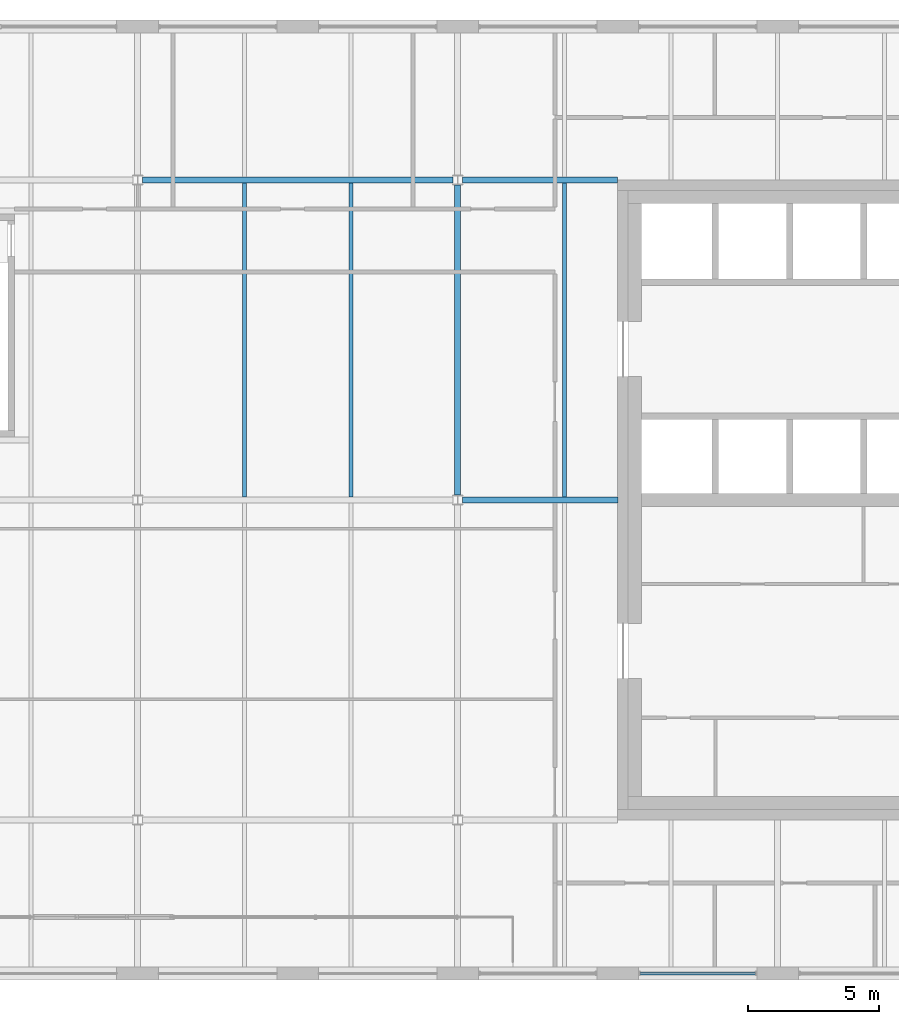
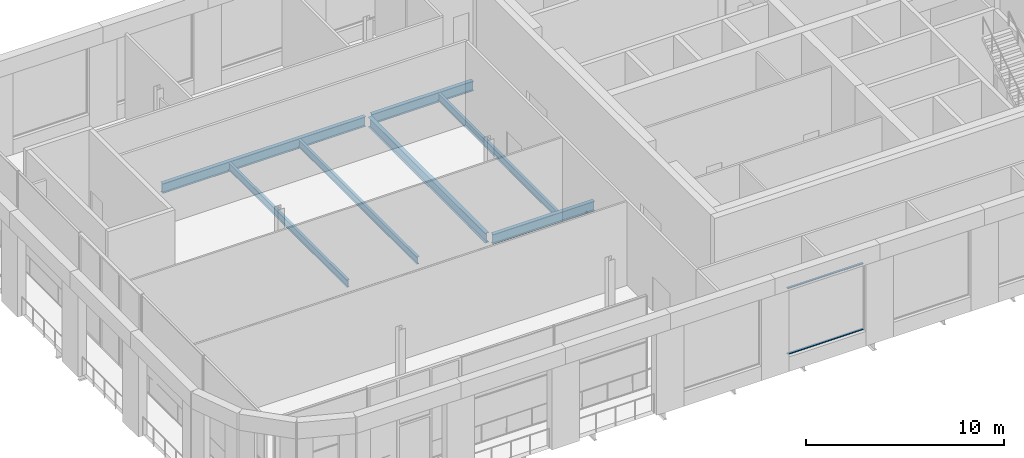
# One storey, part 5 of 19: 7 beams, 2 members, 1 element without a shape of its own.
"""IFC4 building model written with IfcOpenShell, lengths in metres."""

import ifcopenshell
import ifcopenshell.guid

model = None  # the IFC model being written
_history = None  # IfcOwnerHistory: only IFC2X3 demands one
_inside = {}  # id of a spatial element -> (the spatial element, [elements in it])
_under = {}  # id of a project, library or spatial element -> (it, [spatial elements below it])
_declared = {}  # id of a project -> (the project, [libraries it declares])
_typed = {}  # id of a type object -> (the type object, [elements of that type])
_made_of = {}  # id of a material, layer set ... -> (it, [elements and type objects made of it])


def new_model(schema):
    """Start an empty IFC model of exactly this schema.

    Asked for "IFC4X3", IfcOpenShell would pick the latest addendum, in which some entities
    have other attributes; the version numbers below select the first issue.
    IFC2X3 requires an IfcOwnerHistory on every rooted entity: one is made here for all.
    """
    global model, _history
    if schema == "IFC4X3":
        model = ifcopenshell.file(schema_version=(4, 3, 0, 0))
    else:
        model = ifcopenshell.file(schema=schema)
    _inside.clear()
    _under.clear()
    _declared.clear()
    _typed.clear()
    _made_of.clear()
    _history = None
    if model.schema == "IFC2X3":
        org = make("IfcOrganization", Name="unknown")
        user = make(
            "IfcPersonAndOrganization",
            ThePerson=make("IfcPerson", FamilyName="unknown"),
            TheOrganization=org,
        )
        app = make(
            "IfcApplication",
            ApplicationDeveloper=org,
            Version="unknown",
            ApplicationFullName="unknown",
            ApplicationIdentifier="unknown",
        )
        _history = make(
            "IfcOwnerHistory",
            OwningUser=user,
            OwningApplication=app,
            ChangeAction="ADDED",
            CreationDate=0,
        )
    return model


def make(cls, **values):
    """One entity of the class cls with the attributes given. An attribute that is None is left unset."""
    return model.create_entity(
        cls, **{name: value for name, value in values.items() if value is not None}
    )


def rooted(cls, **values):
    """An entity with a GlobalId (a new one), such as an element, a storey or a relation."""
    return make(cls, GlobalId=ifcopenshell.guid.new(), OwnerHistory=_history, **values)


def si_unit(unit_type, name, prefix=None):
    """IfcSIUnit, for example si_unit("LENGTHUNIT", "METRE", prefix="MILLI")."""
    return make("IfcSIUnit", UnitType=unit_type, Prefix=prefix, Name=name)


def assignment(units):
    """IfcUnitAssignment: the units of a project."""
    return None if units is None else make("IfcUnitAssignment", Units=units)


def point(xyz):
    """IfcCartesianPoint."""
    return None if xyz is None else make("IfcCartesianPoint", Coordinates=xyz)


def direction(xyz):
    """IfcDirection."""
    return None if xyz is None else make("IfcDirection", DirectionRatios=xyz)


def frame(location, z_axis=None, x_axis=None):
    """IfcAxis2Placement3D, a coordinate frame: its origin and axes. An axis left out is left unset."""
    return make(
        "IfcAxis2Placement3D",
        Location=point(location),
        Axis=direction(z_axis),
        RefDirection=direction(x_axis),
    )


def frame_2d(location, x_axis=None):
    """IfcAxis2Placement2D, a coordinate frame in the plane: its origin and x axis."""
    return make(
        "IfcAxis2Placement2D", Location=point(location), RefDirection=direction(x_axis)
    )


def origin():
    """The frame at (0, 0, 0) with its axes left unset."""
    return frame((0.0, 0.0, 0.0))


def origin_2d():
    """The frame at (0, 0) in the plane with its x axis left unset."""
    return frame_2d((0.0, 0.0))


def place(relative_to, where):
    """IfcLocalPlacement: puts the frame where relative to a parent placement (None: the world)."""
    return make(
        "IfcLocalPlacement", PlacementRelTo=relative_to, RelativePlacement=where
    )


def context(
    kind, dimensions, precision=None, world=None, true_north=None, identifier=None
):
    """IfcGeometricRepresentationContext, for example the 3D "Model" context."""
    return make(
        "IfcGeometricRepresentationContext",
        ContextIdentifier=identifier,
        ContextType=kind,
        CoordinateSpaceDimension=dimensions,
        Precision=precision,
        WorldCoordinateSystem=world,
        TrueNorth=true_north,
    )


def subcontext(parent, identifier, kind, view, scale=None):
    """IfcGeometricRepresentationSubContext, for example "Body" below "Model"."""
    return make(
        "IfcGeometricRepresentationSubContext",
        ContextIdentifier=identifier,
        ContextType=kind,
        ParentContext=parent,
        TargetScale=scale,
        TargetView=view,
    )


def project(units=None, contexts=None):
    """IfcProject with its units and contexts."""
    return rooted(
        "IfcProject",
        Name="project",
        RepresentationContexts=contexts,
        UnitsInContext=assignment(units),
    )


def spatial(cls, under=None, at=None, **own):
    """A site, building, storey or space (cls), placed at a placement, below another one or the project."""
    s = rooted(cls, ObjectPlacement=at, **own)
    if under is not None:
        _under.setdefault(under.id(), (under, []))[1].append(s)
    return s


def profile(cls, at=None, kind="AREA", **sizes):
    """A parametric profile (cls). Its sizes go by their IFC names, for example OverallWidth=200.0."""
    return make(cls, ProfileType=kind, Position=at, **sizes)


def rectangle(**sizes):
    """IfcRectangleProfileDef."""
    return profile("IfcRectangleProfileDef", **sizes)


def i_section(**sizes):
    """IfcIShapeProfileDef."""
    return profile("IfcIShapeProfileDef", **sizes)


def extrude(swept, where, along, depth):
    """IfcExtrudedAreaSolid: the profile swept, set in the frame where, extruded along a direction by depth."""
    return make(
        "IfcExtrudedAreaSolid",
        SweptArea=swept,
        Position=where,
        ExtrudedDirection=direction(along),
        Depth=depth,
    )


def shape(context_of_items, identifier, shape_type, items):
    """IfcShapeRepresentation: the items that make up one representation, for example the "Body"."""
    return make(
        "IfcShapeRepresentation",
        ContextOfItems=context_of_items,
        RepresentationIdentifier=identifier,
        RepresentationType=shape_type,
        Items=items,
    )


def material(Name=None, Category=None):
    """IfcMaterial."""
    return make("IfcMaterial", Name=Name, Category=Category)


def material_profile(
    of_material, cross_section, Name=None, Category=None, Priority=None
):
    """IfcMaterialProfile: a cross section and its material."""
    return make(
        "IfcMaterialProfile",
        Name=Name,
        Material=of_material,
        Profile=cross_section,
        Priority=Priority,
        Category=Category,
    )


def profile_set(profiles, Name=None, composite=None):
    """IfcMaterialProfileSet."""
    return make(
        "IfcMaterialProfileSet",
        Name=Name,
        MaterialProfiles=profiles,
        CompositeProfile=composite,
    )


def made_of(thing, what):
    """Note that an element or type object is made of a material, layer set ...; save() writes the relation."""
    if what is not None:
        _made_of.setdefault(what.id(), (what, []))[1].append(thing)
    return thing


def type_object(cls, material=None, **own):
    """A type object (cls), such as IfcWallType, which elements share."""
    return made_of(rooted(cls, **own), material)


def element(
    cls,
    number,
    at=None,
    inside=None,
    cuts=None,
    type_object=None,
    material=None,
    context=None,
    identifier="Body",
    shape_type=None,
    held_by="IfcProductDefinitionShape",
    body=None,
    shapes=None,
    **own,
):
    """One element of the class cls, such as IfcWall. Its Tag is "e" and its number.

    at: its placement. inside: the storey or other place that contains it. cuts: it is an
    opening in that element (IfcRelVoidsElement). A single representation is given by context,
    identifier, shape_type and body (its items); several are given by shapes. held_by: the class
    of the entity that holds the representations. save() writes the other relations.
    """
    e = rooted(cls, Tag="e%d" % number, ObjectPlacement=at, **own)
    if body is not None:
        shapes = [shape(context, identifier, shape_type, body)]
    if shapes is not None:
        e.Representation = make(held_by, Representations=shapes)
    if inside is not None:
        _inside.setdefault(inside.id(), (inside, []))[1].append(e)
    if cuts is not None:
        rooted(
            "IfcRelVoidsElement", RelatingBuildingElement=cuts, RelatedOpeningElement=e
        )
    if type_object is not None:
        _typed.setdefault(type_object.id(), (type_object, []))[1].append(e)
    return made_of(e, material)


def aggregate(whole, parts):
    """IfcRelAggregates: a whole, such as a stair, and the parts it consists of."""
    return rooted("IfcRelAggregates", RelatingObject=whole, RelatedObjects=parts)


def save(model, path):
    """Write the relations noted so far, then the file.

    IfcRelAggregates (storeys below a building ...), IfcRelContainedInSpatialStructure (elements
    in a storey), IfcRelDefinesByType, IfcRelAssociatesMaterial and IfcRelDeclares: one each for
    every whole, place, type object, material and project.
    """
    for whole, parts in _under.values():
        aggregate(whole, parts)
    for where, things in _inside.values():
        rooted(
            "IfcRelContainedInSpatialStructure",
            RelatedElements=things,
            RelatingStructure=where,
        )
    for kind, things in _typed.values():
        rooted("IfcRelDefinesByType", RelatedObjects=things, RelatingType=kind)
    for what, things in _made_of.values():
        rooted("IfcRelAssociatesMaterial", RelatedObjects=things, RelatingMaterial=what)
    for by, libraries in _declared.values():
        rooted("IfcRelDeclares", RelatingContext=by, RelatedDefinitions=libraries)
    model.write(path)


model = new_model("IFC4")

# Units and contexts
model_context = context("Model", 3, precision=1e-05, world=origin(), true_north=direction((0.0, 1.0)))
body_context = subcontext(model_context, "Body", "Model", "MODEL_VIEW")
ifc_project = project(units=[si_unit("LENGTHUNIT", "METRE"), si_unit("AREAUNIT", "SQUARE_METRE"), si_unit("VOLUMEUNIT", "CUBIC_METRE"), si_unit("PLANEANGLEUNIT", "RADIAN"), si_unit("MASSUNIT", "GRAM", prefix="KILO")], contexts=[model_context])

# Site, building, storey
site_placement = place(None, origin())
site = spatial("IfcSite", under=ifc_project, at=site_placement, CompositionType="ELEMENT")
building_placement = place(site_placement, origin())
building = spatial("IfcBuilding", under=site, at=building_placement, Name="Tessera Gate Towers", CompositionType="ELEMENT")
storey_placement = place(building_placement, frame((0.0, 0.0, 259.699951171875)))
storey = spatial("IfcBuildingStorey", under=building, at=storey_placement, Name="L65", CompositionType="ELEMENT", Elevation=259.699951171875)

# Beams
ifc_material_1 = material(Name="Steel 350W", Category="steel")
ifc_material_profile_1 = material_profile(ifc_material_1, i_section(OverallWidth=0.22802734375, OverallDepth=0.60302734375, WebThickness=0.010498046875, FlangeThickness=0.014892578125, at=origin_2d()), Name="W610x101")
ifc_profile_set_1 = profile_set([ifc_material_profile_1], Name="Steel 350W")
beam_type_1 = type_object("IfcBeamType", Name="FLOOR GIRDER W610x101", PredefinedType="BEAM", material=ifc_profile_set_1)
beam_1_placement = place(storey_placement, frame((24.58447265625, 36.60009765625, -0.551513671875), z_axis=(1.0, 0.0, 0.0), x_axis=(0.0, 1.0, 0.0)))
element("IfcBeam", 1, at=beam_1_placement, inside=storey, type_object=beam_type_1, Name="T1-GD-L65-6314", PredefinedType="BEAM", context=body_context, shape_type="SweptSolid", body=[
    extrude(i_section(OverallWidth=0.22802734375, OverallDepth=0.60302734375, WebThickness=0.010498046875, FlangeThickness=0.014892578125, at=origin_2d()), origin(), (0.0, 0.0, 1.0), 5.91650390625),
])
beam_2_placement = place(storey_placement, frame((12.384521484375, 48.800048828125, -0.551513671875), z_axis=(1.0, 0.0, 0.0), x_axis=(0.0, 1.0, 0.0)))
element("IfcBeam", 2, at=beam_2_placement, inside=storey, type_object=beam_type_1, Name="T1-GD-L65-6317", PredefinedType="BEAM", context=body_context, shape_type="SweptSolid", body=[
    extrude(i_section(OverallWidth=0.22802734375, OverallDepth=0.60302734375, WebThickness=0.010498046875, FlangeThickness=0.014892578125, at=origin_2d()), origin(), (0.0, 0.0, 1.0), 11.8310546875),
])
beam_3_placement = place(storey_placement, frame((24.58447265625, 48.800048828125, -0.551513671875), z_axis=(1.0, 0.0, 0.0), x_axis=(0.0, 1.0, 0.0)))
element("IfcBeam", 3, at=beam_3_placement, inside=storey, type_object=beam_type_1, Name="T1-GD-L65-6318", PredefinedType="BEAM", context=body_context, shape_type="SweptSolid", body=[
    extrude(i_section(OverallWidth=0.22802734375, OverallDepth=0.60302734375, WebThickness=0.010498046875, FlangeThickness=0.014892578125, at=origin_2d()), origin(), (0.0, 0.0, 1.0), 5.91455078125),
])
beam_4_placement = place(storey_placement, frame((24.39990234375, 36.784423828125, -0.551513671875), z_axis=(0.0, 1.0, 0.0), x_axis=(-1.0, 0.0, 0.0)))
element("IfcBeam", 4, at=beam_4_placement, inside=storey, type_object=beam_type_1, Name="T1-GD-L65-6326", PredefinedType="BEAM", context=body_context, shape_type="SweptSolid", body=[
    extrude(i_section(OverallWidth=0.22802734375, OverallDepth=0.60302734375, WebThickness=0.010498046875, FlangeThickness=0.014892578125, at=origin_2d()), origin(), (0.0, 0.0, 1.0), 11.8310546875),
])
ifc_material_2 = material(Name="Steel 350W", Category="steel")
ifc_material_profile_2 = material_profile(ifc_material_2, i_section(OverallWidth=0.153076171875, OverallDepth=0.455078125, WebThickness=0.008056640625, FlangeThickness=0.01318359375, at=origin_2d()), Name="W460x60")
ifc_profile_set_2 = profile_set([ifc_material_profile_2], Name="Steel 350W")
beam_type_2 = type_object("IfcBeamType", Name="FLOOR SECONDARY W460x60", PredefinedType="BEAM", material=ifc_profile_set_2)
for number, where, z_axis, x_axis, name in (
    (5, (16.2666015625, 36.714111328125, -0.4775390625), (0.0, 1.0, 0.0), (-1.0, 0.0, 0.0), "T1-BM-L65-6345"),
    (6, (20.333251953125, 36.714111328125, -0.4775390625), (0.0, 1.0, 0.0), (-1.0, 0.0, 0.0), "T1-BM-L65-6349"),
    (7, (28.466796875, 36.714111328125, -0.4775390625), (0.0, 1.0, 0.0), (-1.0, 0.0, 0.0), "T1-BM-L65-6353"),
):
    element("IfcBeam", number, at=place(storey_placement, frame(where, z_axis=z_axis, x_axis=x_axis)), inside=storey, type_object=beam_type_2, Name=name, PredefinedType="BEAM", context=body_context, shape_type="SweptSolid", body=[
        extrude(i_section(OverallWidth=0.153076171875, OverallDepth=0.455078125, WebThickness=0.008056640625, FlangeThickness=0.01318359375, at=origin_2d()), origin(), (0.0, 0.0, 1.0), 11.971923828125),
    ])

# Curtain wall, members
ifc_material_3 = material(Name="Aluminium frame", Category="aluminium")
curtain_wall_type = type_object("IfcCurtainWallType", Name="CW-S4 observation glass", PredefinedType="NOTDEFINED", material=ifc_material_3)
curtain_wall_placement = place(storey_placement, origin())
curtain_wall = element("IfcCurtainWall", 8, at=curtain_wall_placement, inside=storey, type_object=curtain_wall_type, Name="Curtain wall observation glass 0090", PredefinedType="NOTDEFINED")
ifc_material_4 = material(Name="Aluminium frame", Category="aluminium")
ifc_material_profile_3 = material_profile(ifc_material_4, rectangle(XDim=0.1201171875, YDim=0.050048828125, at=origin_2d()), Name="AL 50x120")
ifc_profile_set_3 = profile_set([ifc_material_profile_3], Name="Aluminium frame")
member_type = type_object("IfcMemberType", Name="TR-S4 transom 50x120", PredefinedType="USERDEFINED", material=ifc_profile_set_3)
member_1_placement = place(storey_placement, frame((31.35009765625, 18.550048828125, 0.925048828125), z_axis=(1.0, 0.0, 0.0), x_axis=(0.0, 1.0, 0.0)))
member_1 = element("IfcMember", 9, at=member_1_placement, type_object=member_type, Name="T1-CW4-0090 transom 1.1", ObjectType="TRANSOM", PredefinedType="USERDEFINED", context=body_context, shape_type="SweptSolid", body=[
    extrude(rectangle(XDim=0.1201171875, YDim=0.050048828125, at=origin_2d()), origin(), (0.0, 0.0, 1.0), 4.39990234375),
])
member_2_placement = place(storey_placement, frame((31.35009765625, 18.550048828125, 4.97509765625), z_axis=(1.0, 0.0, 0.0), x_axis=(0.0, 1.0, 0.0)))
member_2 = element("IfcMember", 10, at=member_2_placement, type_object=member_type, Name="T1-CW4-0090 transom 1.2", ObjectType="TRANSOM", PredefinedType="USERDEFINED", context=body_context, shape_type="SweptSolid", body=[
    extrude(rectangle(XDim=0.1201171875, YDim=0.050048828125, at=origin_2d()), origin(), (0.0, 0.0, 1.0), 4.39990234375),
])
aggregate(curtain_wall, [member_1, member_2])

save(model, "model.ifc")
